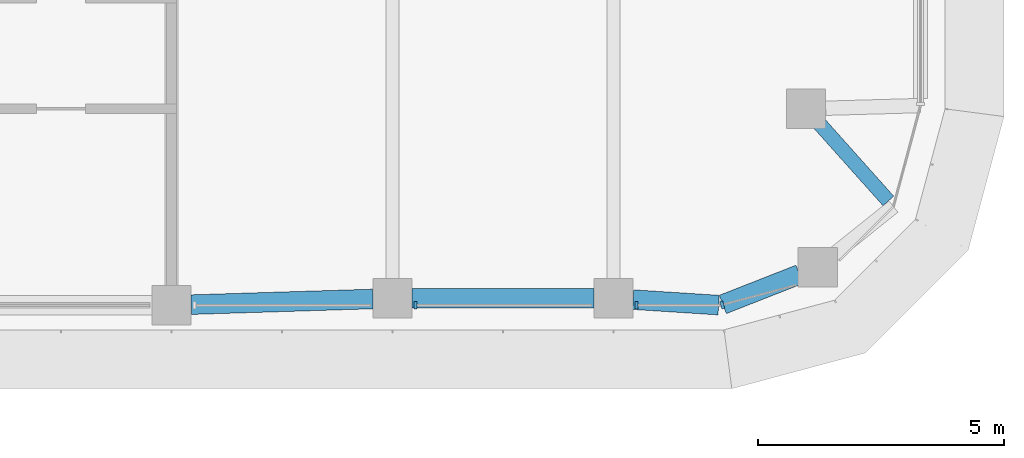
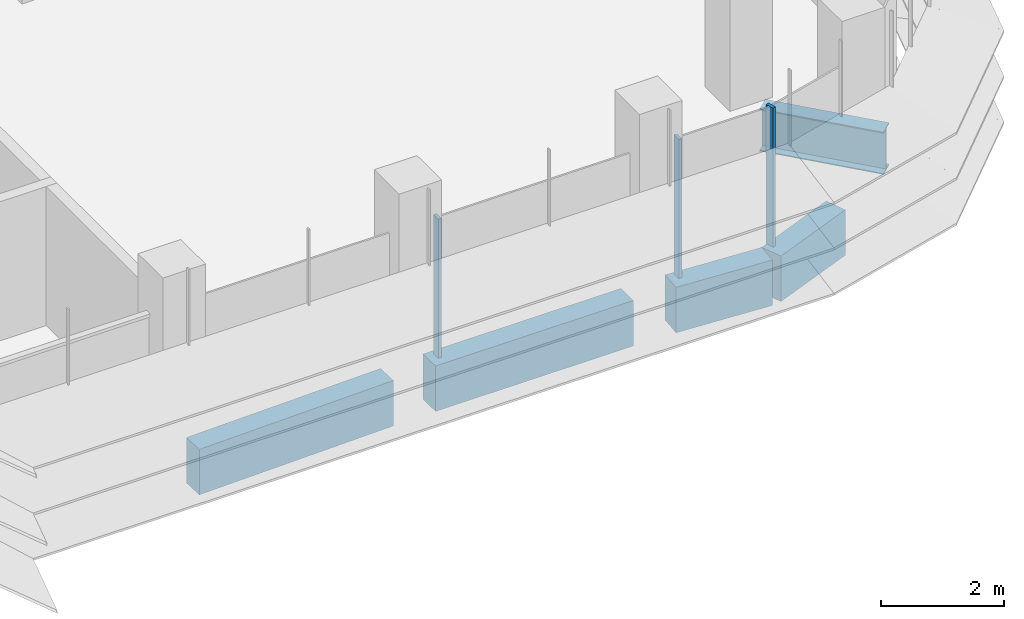
# One storey, part 5 of 20: 5 beams, 3 members, 2 elements without a shape of their own.
"""IFC4 building model written with IfcOpenShell, lengths in metres."""

from ifc_helpers import new_model, si_unit, direction, frame, origin, origin_2d, place, context, subcontext, project, spatial, polyline, rectangle, i_section, outline, extrude, source, transform, mapped, material, material_profile, profile_set, type_object, element, aggregate, save


model = new_model("IFC4")

# Units and contexts
model_context = context("Model", 3, precision=1e-05, world=origin(), true_north=direction((0.0, 1.0)))
body_context = subcontext(model_context, "Body", "Model", "MODEL_VIEW")
ifc_project = project(units=[si_unit("LENGTHUNIT", "METRE"), si_unit("AREAUNIT", "SQUARE_METRE"), si_unit("VOLUMEUNIT", "CUBIC_METRE"), si_unit("PLANEANGLEUNIT", "RADIAN"), si_unit("MASSUNIT", "GRAM", prefix="KILO")], contexts=[model_context])

# Site, building, storey
site_placement = place(None, origin())
site = spatial("IfcSite", under=ifc_project, at=site_placement, CompositionType="ELEMENT")
building_placement = place(site_placement, origin())
building = spatial("IfcBuilding", under=site, at=building_placement, Name="Zarbagh Exchange Tower", CompositionType="ELEMENT")
storey_placement = place(building_placement, frame((0.0, 0.0, 163.800048828125)))
storey = spatial("IfcBuildingStorey", under=building, at=storey_placement, Name="L39", CompositionType="ELEMENT", Elevation=163.800048828125)

# Beams
ifc_material_1 = material(Name="Steel ASTM A992 Gr 50", Category="steel")
ifc_material_profile_1 = material_profile(ifc_material_1, i_section(OverallWidth=0.2919921875, OverallDepth=0.835693359375, WebThickness=0.013916015625, FlangeThickness=0.018798828125, at=origin_2d()), Name="W33X118")
ifc_profile_set_1 = profile_set([ifc_material_profile_1], Name="Steel ASTM A992 Gr 50")
beam_type_1 = type_object("IfcBeamType", Name="Floor girder W33X118", PredefinedType="BEAM", material=ifc_profile_set_1)
beam_1_placement = place(storey_placement, frame((28.9365234375, -2.54833984375, -0.56787109375), z_axis=(0.666238158503, -0.745739040251, 0.0), x_axis=(0.745739040251, 0.666238158503, 0.0)))
element("IfcBeam", 1, at=beam_1_placement, inside=storey, type_object=beam_type_1, Name="Steel girder", PredefinedType="BEAM", context=body_context, shape_type="SweptSolid", body=[
    extrude(i_section(OverallWidth=0.2919921875, OverallDepth=0.835693359375, WebThickness=0.013916015625, FlangeThickness=0.018798828125, at=origin_2d()), origin(), (0.0, 0.0, 1.0), 2.115966796875),
])
ifc_material_2 = material(Name="Concrete C50/60", Category="concrete")
ifc_material_profile_2 = material_profile(ifc_material_2, rectangle(XDim=0.39990234375, YDim=0.89990234375, at=origin_2d()), Name="RC spandrel beam 400 x 900 C50/60")
ifc_profile_set_2 = profile_set([ifc_material_profile_2], Name="Concrete C50/60")
beam_type_2 = type_object("IfcBeamType", Name="RC spandrel beam 400 x 900 C50/60", PredefinedType="SPANDREL", material=ifc_profile_set_2)
beam_2_placement = place(storey_placement, frame((28.53564453125, -5.62109375, -0.60009765625), z_axis=(-0.930818758612, -0.36548110569, 0.0), x_axis=(0.36548110569, -0.930818758612, 0.0)))
element("IfcBeam", 2, at=beam_2_placement, inside=storey, type_object=beam_type_2, Name="RC spandrel beam", PredefinedType="SPANDREL", context=body_context, shape_type="SweptSolid", body=[
    extrude(rectangle(XDim=0.39990234375, YDim=0.89990234375, at=origin_2d()), origin(), (0.0, 0.0, 1.0), 1.676025390625),
])
beam_3_placement = place(storey_placement, frame((26.8896484375, -6.247314453125, -0.60009765625), z_axis=(-0.997942679773, 0.064112462805, 0.0), x_axis=(-0.064112462805, -0.997942679773, 0.0)))
element("IfcBeam", 3, at=beam_3_placement, inside=storey, type_object=beam_type_2, Name="RC spandrel beam", PredefinedType="SPANDREL", context=body_context, shape_type="SweptSolid", body=[
    extrude(rectangle(XDim=0.39990234375, YDim=0.89990234375, at=origin_2d()), origin(), (0.0, 0.0, 1.0), 1.744140625),
])
beam_4_placement = place(storey_placement, frame((24.35009765625, -6.110107421875, -0.60009765625), z_axis=(-1.0, 0.0, 0.0), x_axis=(0.0, -1.0, 0.0)))
element("IfcBeam", 4, at=beam_4_placement, inside=storey, type_object=beam_type_2, Name="RC spandrel beam", PredefinedType="SPANDREL", context=body_context, shape_type="SweptSolid", body=[
    extrude(rectangle(XDim=0.39990234375, YDim=0.89990234375, at=origin_2d()), origin(), (0.0, 0.0, 1.0), 3.7001953125),
])
beam_5_placement = place(storey_placement, frame((19.85009765625, -6.122314453125, -0.60009765625), z_axis=(-0.999515416033, -0.031127690444, 0.0), x_axis=(0.031127690444, -0.999515416033, 0.0)))
element("IfcBeam", 5, at=beam_5_placement, inside=storey, type_object=beam_type_2, Name="RC spandrel beam", PredefinedType="SPANDREL", context=body_context, shape_type="SweptSolid", body=[
    extrude(rectangle(XDim=0.39990234375, YDim=0.89990234375, at=origin_2d()), origin(), (0.0, 0.0, 1.0), 3.701904296875),
])

# Curtain wall, members
ifc_material_3 = material(Name="Anodised aluminium frame and glazing", Category="aluminium")
curtain_wall_type = type_object("IfcCurtainWallType", Name="CWB Ribbon glazing, upper zones", PredefinedType="NOTDEFINED", material=ifc_material_3)
curtain_wall_1_placement = place(storey_placement, origin())
curtain_wall_1 = element("IfcCurtainWall", 6, at=curtain_wall_1_placement, inside=storey, type_object=curtain_wall_type, Name="CWB08 curtain wall", PredefinedType="NOTDEFINED")
ifc_material_4 = material(Name="Anodised aluminium frame", Category="aluminium")
member_type = type_object("IfcMemberType", Name="MUB Mullion, anodised aluminium frame", PredefinedType="MULLION", material=ifc_material_4)
shared_shape = source(origin(), body_context, "Body", "SweptSolid", [
    extrude(outline(polyline([(0.0, -0.080078125), (0.06005859375, -0.080078125), (0.06005859375, 0.080078125), (0.0, 0.080078125), (0.0, -0.080078125)])), origin(), (0.0, 0.0, 1.0), 2.75),
])
placement = place(storey_placement, origin())
member_1 = element("IfcMember", 7, at=placement, type_object=member_type, Name="CWB08 mullion 3.1", PredefinedType="MULLION", context=body_context, shape_type="MappedRepresentation", body=[
    mapped(shared_shape, transform((20.68994140625, -6.25, 0.0), x_axis=(1.0, 0.0, 0.0), y_axis=(0.0, 1.0, 0.0), z_axis=(0.0, 0.0, 1.0))),
])
member_2 = element("IfcMember", 8, at=placement, type_object=member_type, Name="CWB08 mullion 4.1", PredefinedType="MULLION", context=body_context, shape_type="MappedRepresentation", body=[
    mapped(shared_shape, transform((25.18994140625, -6.25, 0.0), x_axis=(1.0, 0.0, 0.0), y_axis=(0.0, 1.0, 0.0), z_axis=(0.0, 0.0, 1.0))),
])
aggregate(curtain_wall_1, [member_1, member_2])

# Curtain wall, member
curtain_wall_2_placement = place(storey_placement, origin())
curtain_wall_2 = element("IfcCurtainWall", 9, at=curtain_wall_2_placement, inside=storey, type_object=curtain_wall_type, Name="CWB09 curtain wall", PredefinedType="NOTDEFINED")
member_3 = element("IfcMember", 10, at=placement, type_object=member_type, Name="CWB09 mullion 1.1", PredefinedType="MULLION", context=body_context, shape_type="MappedRepresentation", body=[
    mapped(shared_shape, transform((26.93408203125, -6.25, 0.0), x_axis=(0.965924289636, 0.258824779902, 0.0), y_axis=(-0.258824779902, 0.965924289636, 0.0), z_axis=(0.0, 0.0, 1.0))),
])
aggregate(curtain_wall_2, [member_3])

save(model, "model.ifc")
